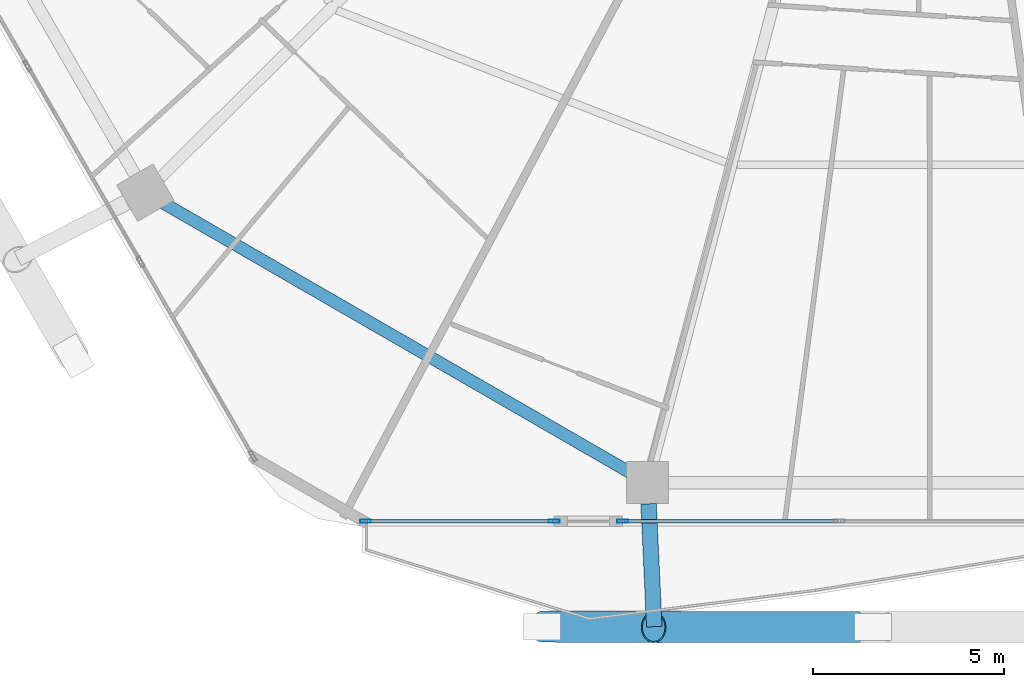
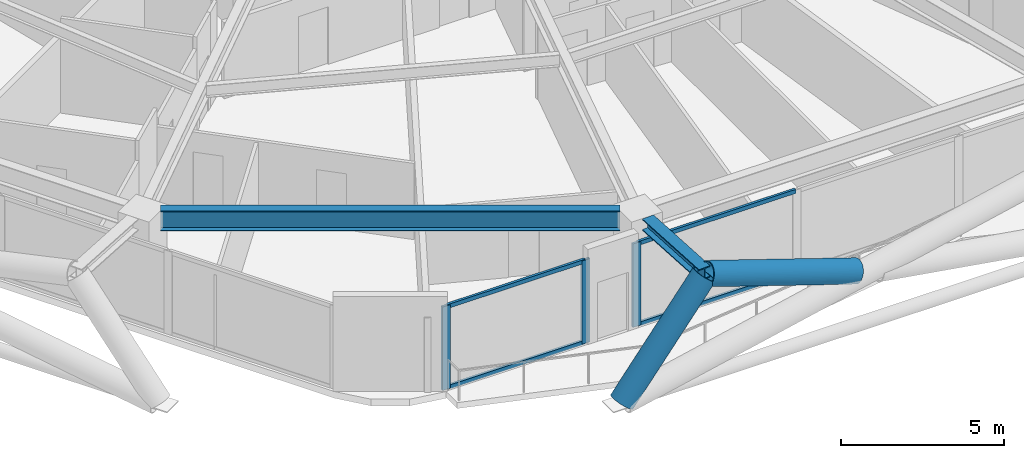
# One storey, part 3 of 35: 9 members, 2 beams, 2 elements without a shape of their own.
"""IFC4 building model written with IfcOpenShell, lengths in metres."""

from ifc_helpers import new_model, si_unit, direction, frame, origin, origin_2d, place, context, subcontext, project, spatial, hollow_rectangle, hollow_circle, i_section, extrude, material, material_profile, profile_set, type_object, element, aggregate, save


model = new_model("IFC4")

# Units and contexts
model_context = context("Model", 3, precision=1e-05, world=origin(), true_north=direction((0.0, 1.0)))
body_context = subcontext(model_context, "Body", "Model", "MODEL_VIEW")
ifc_project = project(units=[si_unit("LENGTHUNIT", "METRE"), si_unit("AREAUNIT", "SQUARE_METRE"), si_unit("VOLUMEUNIT", "CUBIC_METRE"), si_unit("PLANEANGLEUNIT", "RADIAN"), si_unit("MASSUNIT", "GRAM", prefix="KILO")], contexts=[model_context])

# Site, building, storey
site_placement = place(None, origin())
site = spatial("IfcSite", under=ifc_project, at=site_placement, CompositionType="ELEMENT")
building_placement = place(site_placement, origin())
building = spatial("IfcBuilding", under=site, at=building_placement, Name="Zuhravey Tower", CompositionType="ELEMENT")
storey_placement = place(building_placement, frame((0.0, 0.0, 138.0)))
storey = spatial("IfcBuildingStorey", under=building, at=storey_placement, Name="L34", CompositionType="ELEMENT", Elevation=138.0)

# Curtain wall, member
ifc_material_1 = material(Name="Thermally broken anodised aluminium", Category="aluminium")
curtain_wall_type = type_object("IfcCurtainWallType", Name="Zone 1-2 Residential Curtain Wall CW3", PredefinedType="NOTDEFINED", material=ifc_material_1)
curtain_wall_1_placement = place(storey_placement, origin())
curtain_wall_1 = element("IfcCurtainWall", 1, at=curtain_wall_1_placement, inside=storey, type_object=curtain_wall_type, Name="L34 CW3 CW-L34-F5-1", PredefinedType="NOTDEFINED")
ifc_material_2 = material(Name="Anodised aluminium", Category="aluminium")
ifc_material_profile_1 = material_profile(ifc_material_2, hollow_rectangle(XDim=0.090087890625, YDim=0.284912109375, WallThickness=0.0048828125, at=origin_2d()), Name="ALU-RHS-90x285x5")
ifc_profile_set_1 = profile_set([ifc_material_profile_1], Name="Anodised aluminium")
member_type_1 = type_object("IfcMemberType", Name="Curtain-Wall Mullion 90x180", PredefinedType="MULLION", material=ifc_profile_set_1)
member_1_placement = place(storey_placement, frame((27.974853515625, 3.04150390625, 0.0), z_axis=(0.0, 0.0, 1.0), x_axis=(0.0, -1.0, 0.0)))
member_1 = element("IfcMember", 2, at=member_1_placement, type_object=member_type_1, Name="CW3 mullion 5", PredefinedType="MULLION", context=body_context, shape_type="SweptSolid", body=[
    extrude(hollow_rectangle(XDim=0.090087890625, YDim=0.284912109375, WallThickness=0.0048828125, at=origin_2d()), origin(), (0.0, 0.0, 1.0), 3.1220703125),
])

# Curtain wall, members
curtain_wall_2_placement = place(storey_placement, origin())
curtain_wall_2 = element("IfcCurtainWall", 3, at=curtain_wall_2_placement, inside=storey, type_object=curtain_wall_type, Name="L34 CW3 CW-L34-F5-2", PredefinedType="NOTDEFINED")
member_2_placement = place(storey_placement, frame((26.184814453125, 3.04150390625, 0.0), z_axis=(0.0, 0.0, 1.0), x_axis=(0.0, -1.0, 0.0)))
member_2 = element("IfcMember", 4, at=member_2_placement, type_object=member_type_1, Name="CW3 mullion 1", PredefinedType="MULLION", context=body_context, shape_type="SweptSolid", body=[
    extrude(hollow_rectangle(XDim=0.090087890625, YDim=0.284912109375, WallThickness=0.0048828125, at=origin_2d()), origin(), (0.0, 0.0, 1.0), 3.1220703125),
])
member_3_placement = place(storey_placement, frame((21.24560546875, 3.04150390625, 0.0), z_axis=(0.0, 0.0, 1.0), x_axis=(0.0, -1.0, 0.0)))
member_3 = element("IfcMember", 5, at=member_3_placement, type_object=member_type_1, Name="CW3 mullion 2", PredefinedType="MULLION", context=body_context, shape_type="SweptSolid", body=[
    extrude(hollow_rectangle(XDim=0.090087890625, YDim=0.284912109375, WallThickness=0.0048828125, at=origin_2d()), origin(), (0.0, 0.0, 1.0), 3.1220703125),
])

# Member
ifc_material_profile_2 = material_profile(ifc_material_2, hollow_rectangle(XDim=0.090087890625, YDim=0.14990234375, WallThickness=0.0048828125, at=origin_2d()), Name="ALU-RHS-90x150x5")
ifc_profile_set_2 = profile_set([ifc_material_profile_2], Name="Anodised aluminium")
member_type_2 = type_object("IfcMemberType", Name="Curtain-Wall Transom 90x150", PredefinedType="USERDEFINED", material=ifc_profile_set_2)
member_4_placement = place(storey_placement, frame((33.602294921875, 3.04150390625, 0.044921875), z_axis=(-1.0, 0.0, 0.0), x_axis=(0.0, -1.0, 0.0)))
member_4 = element("IfcMember", 6, at=member_4_placement, type_object=member_type_2, Name="CW3 transom 4.1", ObjectType="TRANSOM", PredefinedType="USERDEFINED", context=body_context, shape_type="SweptSolid", body=[
    extrude(hollow_rectangle(XDim=0.090087890625, YDim=0.14990234375, WallThickness=0.0048828125, at=origin_2d()), origin(), (0.0, 0.0, 1.0), 5.58251953125),
])

member_5_placement = place(storey_placement, frame((33.602294921875, 3.04150390625, 3.076904296875), z_axis=(-1.0, 0.0, 0.0), x_axis=(0.0, -1.0, 0.0)))
member_5 = element("IfcMember", 7, at=member_5_placement, type_object=member_type_2, Name="CW3 transom 4.2", ObjectType="TRANSOM", PredefinedType="USERDEFINED", context=body_context, shape_type="SweptSolid", body=[
    extrude(hollow_rectangle(XDim=0.090087890625, YDim=0.14990234375, WallThickness=0.0048828125, at=origin_2d()), origin(), (0.0, 0.0, 1.0), 5.58251953125),
])

aggregate(curtain_wall_1, [member_1, member_4, member_5])

member_6_placement = place(storey_placement, frame((26.139892578125, 3.04150390625, 0.044921875), z_axis=(-1.0, 0.0, 0.0), x_axis=(0.0, -1.0, 0.0)))
member_6 = element("IfcMember", 8, at=member_6_placement, type_object=member_type_2, Name="CW3 transom 1.1", ObjectType="TRANSOM", PredefinedType="USERDEFINED", context=body_context, shape_type="SweptSolid", body=[
    extrude(hollow_rectangle(XDim=0.090087890625, YDim=0.14990234375, WallThickness=0.0048828125, at=origin_2d()), origin(), (0.0, 0.0, 1.0), 4.849365234375),
])

member_7_placement = place(storey_placement, frame((26.139892578125, 3.04150390625, 3.076904296875), z_axis=(-1.0, 0.0, 0.0), x_axis=(0.0, -1.0, 0.0)))
member_7 = element("IfcMember", 9, at=member_7_placement, type_object=member_type_2, Name="CW3 transom 1.2", ObjectType="TRANSOM", PredefinedType="USERDEFINED", context=body_context, shape_type="SweptSolid", body=[
    extrude(hollow_rectangle(XDim=0.090087890625, YDim=0.14990234375, WallThickness=0.0048828125, at=origin_2d()), origin(), (0.0, 0.0, 1.0), 4.849365234375),
])

aggregate(curtain_wall_2, [member_2, member_3, member_6, member_7])

# Beam
ifc_material_3 = material(Name="Steel SM460", Category="steel")
ifc_material_profile_3 = material_profile(ifc_material_3, i_section(OverallWidth=0.406982421875, OverallDepth=0.427978515625, WebThickness=0.02001953125, FlangeThickness=0.034912109375, at=origin_2d()), Name="H-428x407x20x35")
ifc_profile_set_3 = profile_set([ifc_material_profile_3], Name="Steel SM460")
beam_type_1 = type_object("IfcBeamType", Name="Exoskeleton Node Tie Beam H428x407", PredefinedType="BEAM", material=ifc_profile_set_3)
beam_1_placement = place(storey_placement, frame((28.65576171875, 3.49755859375, 3.3359375), z_axis=(0.04648427544, -0.998919021811, 0.0), x_axis=(0.998919021811, 0.04648427544, 0.0)))
element("IfcBeam", 10, at=beam_1_placement, inside=storey, type_object=beam_type_1, Name="L34 Exoskeleton Node Tie NT1-09", PredefinedType="BEAM", context=body_context, shape_type="SweptSolid", body=[
    extrude(i_section(OverallWidth=0.406982421875, OverallDepth=0.427978515625, WebThickness=0.02001953125, FlangeThickness=0.034912109375, at=origin_2d()), origin(), (0.0, 0.0, 1.0), 3.219482421875),
])

# Members
ifc_material_profile_4 = material_profile(ifc_material_3, hollow_circle(Radius=0.406494140625, WallThickness=0.035888671875, at=origin_2d()), Name="CHS-812.8x36")
ifc_profile_set_4 = profile_set([ifc_material_profile_4], Name="Steel SM460")
member_type_3 = type_object("IfcMemberType", Name="Exoskeleton Zone 1 Diagrid CHS813x36", PredefinedType="BRACE", material=ifc_profile_set_4)
member_8_placement = place(storey_placement, frame((25.880126953125, 0.281494140625, -0.44189453125), z_axis=(0.612324613998, -0.003134855347, 0.790600240181), x_axis=(0.005119530055, 0.99998689512, 0.0)))
element("IfcMember", 11, at=member_8_placement, inside=storey, type_object=member_type_3, Name="L34 Face 5 Diagrid Brace 1", PredefinedType="BRACE", context=body_context, shape_type="SweptSolid", body=[
    extrude(hollow_circle(Radius=0.406494140625, WallThickness=0.035888671875, at=origin_2d()), origin(), (0.0, 0.0, 1.0), 4.750732421875),
])
member_9_placement = place(storey_placement, frame((34.152099609375, 0.2734375, 1.56103515625), z_axis=(-0.949050805893, -0.001229567951, 0.31512070068), x_axis=(0.001295575444, -0.999999160742, 0.0)))
element("IfcMember", 12, at=member_9_placement, inside=storey, type_object=member_type_3, Name="L34 Face 5 Split Diagrid Brace 3B", PredefinedType="BRACE", context=body_context, shape_type="SweptSolid", body=[
    extrude(hollow_circle(Radius=0.406494140625, WallThickness=0.035888671875, at=origin_2d()), origin(), (0.0, 0.0, 1.0), 5.5595703125),
])

# Beam
ifc_material_4 = material(Name="Steel SM355", Category="steel")
ifc_material_profile_5 = material_profile(ifc_material_4, i_section(OverallWidth=0.320068359375, OverallDepth=0.75, WebThickness=0.013916015625, FlangeThickness=0.02490234375, at=origin_2d()), Name="H-750x320x14x25")
ifc_profile_set_5 = profile_set([ifc_material_profile_5], Name="Steel SM355")
beam_type_2 = type_object("IfcBeamType", Name="Perimeter Ring Beam H750x320", PredefinedType="BEAM", material=ifc_profile_set_5)
beam_2_placement = place(storey_placement, frame((15.9599609375, 11.36669921875, 3.175048828125), z_axis=(0.866017786538, -0.500013193225, 0.0), x_axis=(0.500013193225, 0.866017786538, 0.0)))
element("IfcBeam", 13, at=beam_2_placement, inside=storey, type_object=beam_type_2, Name="L34 PB1 BM-L34-PB-08", PredefinedType="BEAM", context=body_context, shape_type="SweptSolid", body=[
    extrude(i_section(OverallWidth=0.320068359375, OverallDepth=0.75, WebThickness=0.013916015625, FlangeThickness=0.02490234375, at=origin_2d()), origin(), (0.0, 0.0, 1.0), 14.0771484375),
])

save(model, "model.ifc")
